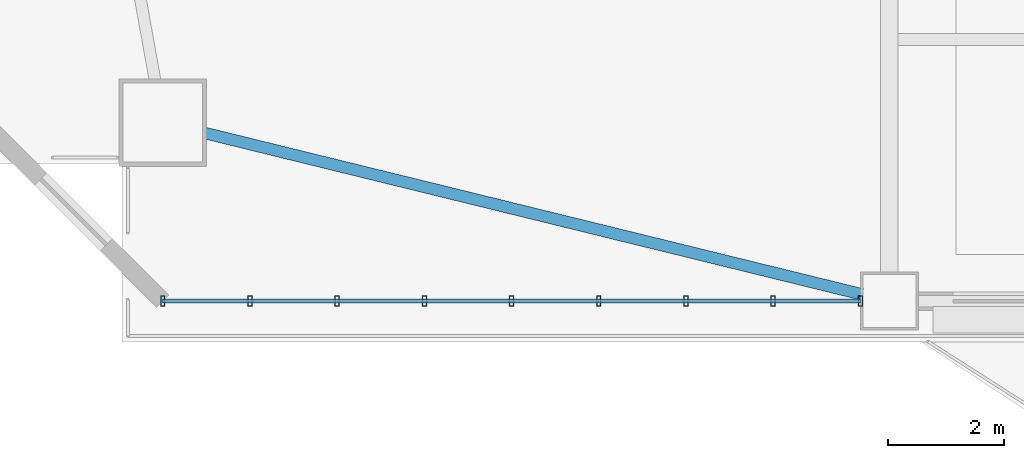
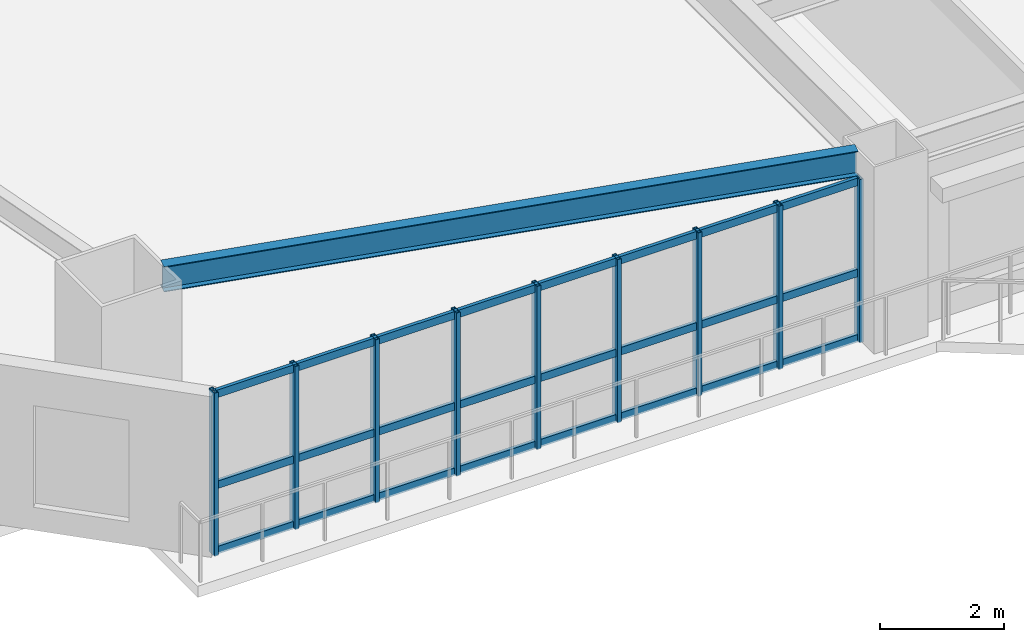
# One storey, part 2 of 16: 12 members, 1 beam, 1 element without a shape of its own.
"""IFC4 building model written with IfcOpenShell, lengths in metres."""

from ifc_helpers import new_model, si_unit, direction, frame, origin, origin_2d, place, context, subcontext, project, spatial, hollow_rectangle, i_section, extrude, source, transform, mapped, material, layer, layer_set, material_profile, profile_set, type_object, element, aggregate, save


model = new_model("IFC4")

# Units and contexts
model_context = context("Model", 3, precision=1e-05, world=origin(), true_north=direction((0.0, 1.0)))
body_context = subcontext(model_context, "Body", "Model", "MODEL_VIEW")
ifc_project = project(units=[si_unit("LENGTHUNIT", "METRE"), si_unit("AREAUNIT", "SQUARE_METRE"), si_unit("VOLUMEUNIT", "CUBIC_METRE"), si_unit("PLANEANGLEUNIT", "RADIAN"), si_unit("MASSUNIT", "GRAM", prefix="KILO")], contexts=[model_context])

# Site, building, storey
site_placement = place(None, origin())
site = spatial("IfcSite", under=ifc_project, at=site_placement, CompositionType="ELEMENT")
building_placement = place(site_placement, origin())
building = spatial("IfcBuilding", under=site, at=building_placement, Name="Giltprow Tower", CompositionType="ELEMENT")
storey_placement = place(building_placement, frame((0.0, 0.0, 87.39990234375)))
storey = spatial("IfcBuildingStorey", under=building, at=storey_placement, Name="L21", CompositionType="ELEMENT", Elevation=87.39990234375)

# Beam
ifc_material_1 = material(Name="Structural steel Q355B", Category="steel")
ifc_material_profile_1 = material_profile(ifc_material_1, i_section(OverallWidth=0.199951171875, OverallDepth=0.5, WebThickness=0.010009765625, FlangeThickness=0.01611328125, at=origin_2d()), Name="HN 500x200x10x16")
ifc_profile_set_1 = profile_set([ifc_material_profile_1], Name="Structural steel Q355B")
beam_type = type_object("IfcBeamType", Name="BM-SPAN-HN500", PredefinedType="SPANDREL", material=ifc_profile_set_1)
shared_shape_1 = source(origin(), body_context, "Body", "SweptSolid", [
    extrude(i_section(OverallWidth=0.199951171875, OverallDepth=0.5, WebThickness=0.010009765625, FlangeThickness=0.01611328125, at=origin_2d()), origin(), (0.0, 0.0, 1.0), 11.656005859375),
])
beam_placement = place(storey_placement, frame((8.05908203125, 8.8310546875, 3.43017578125), z_axis=(0.971161357058, -0.238423192154, 0.0), x_axis=(0.238423192154, 0.971161357058, 0.0)))
element("IfcBeam", 1, at=beam_placement, inside=storey, type_object=beam_type, Name="L21 Perimeter Spandrel Beam MC_SW-S1", PredefinedType="SPANDREL", context=body_context, shape_type="MappedRepresentation", body=[
    mapped(shared_shape_1, transform((0.0, 0.0, 0.0), x_axis=(1.0, 0.0, 0.0), y_axis=(0.0, 1.0, 0.0), z_axis=(0.0, 0.0, 1.0), scale=1.0)),
])

# Curtain wall, members
ifc_material_2 = material(Name="Anodized bronze", Category="metal")
ifc_layer = layer(ifc_material_2, 0.179931640625, Name="Anodized bronze")
ifc_layer_set = layer_set([ifc_layer], Name="Anodized bronze")
curtain_wall_type = type_object("IfcCurtainWallType", Name="CW-OFF-RECESSED", PredefinedType="NOTDEFINED", material=ifc_layer_set)
curtain_wall_placement = place(storey_placement, origin())
curtain_wall = element("IfcCurtainWall", 2, at=curtain_wall_placement, inside=storey, type_object=curtain_wall_type, Name="L21 South Recessed Curtain Wall 1", PredefinedType="NOTDEFINED")
ifc_material_profile_2 = material_profile(ifc_material_2, hollow_rectangle(XDim=0.074951171875, YDim=0.179931640625, WallThickness=0.008056640625, at=origin_2d()), Name="RHS 180x75x8")
ifc_profile_set_2 = profile_set([ifc_material_profile_2], Name="Anodized bronze")
member_type_1 = type_object("IfcMemberType", Name="CW-MULLION-180x75", PredefinedType="MULLION", material=ifc_profile_set_2)
shared_shape_2 = source(origin(), body_context, "Body", "SweptSolid", [
    extrude(hollow_rectangle(XDim=0.074951171875, YDim=0.179931640625, WallThickness=0.008056640625, at=origin_2d()), origin(), (0.0, 0.0, 1.0), 3.215087890625),
])
member_1_placement = place(storey_placement, frame((7.344970703125, 5.93603515625, -0.02001953125), z_axis=(0.0, 0.0, 1.0), x_axis=(1.0, 0.0, 0.0)))
member_1 = element("IfcMember", 3, at=member_1_placement, type_object=member_type_1, Name="L21 South Recessed Curtain Wall 1 Mullion 1", PredefinedType="MULLION", context=body_context, shape_type="MappedRepresentation", body=[
    mapped(shared_shape_2, transform((0.0, 0.0, 0.0), x_axis=(1.0, 0.0, 0.0), y_axis=(0.0, 1.0, 0.0), z_axis=(0.0, 0.0, 1.0), scale=1.0)),
])
member_2_placement = place(storey_placement, frame((8.845947265625, 5.93603515625, -0.02001953125), z_axis=(0.0, 0.0, 1.0), x_axis=(1.0, 0.0, 0.0)))
member_2 = element("IfcMember", 4, at=member_2_placement, type_object=member_type_1, Name="L21 South Recessed Curtain Wall 1 Mullion 2", PredefinedType="MULLION", context=body_context, shape_type="MappedRepresentation", body=[
    mapped(shared_shape_2, transform((0.0, 0.0, 0.0), x_axis=(1.0, 0.0, 0.0), y_axis=(0.0, 1.0, 0.0), z_axis=(0.0, 0.0, 1.0), scale=1.0)),
])
member_3_placement = place(storey_placement, frame((10.345947265625, 5.93603515625, -0.02001953125), z_axis=(0.0, 0.0, 1.0), x_axis=(1.0, 0.0, 0.0)))
member_3 = element("IfcMember", 5, at=member_3_placement, type_object=member_type_1, Name="L21 South Recessed Curtain Wall 1 Mullion 3", PredefinedType="MULLION", context=body_context, shape_type="MappedRepresentation", body=[
    mapped(shared_shape_2, transform((0.0, 0.0, 0.0), x_axis=(1.0, 0.0, 0.0), y_axis=(0.0, 1.0, 0.0), z_axis=(0.0, 0.0, 1.0), scale=1.0)),
])
member_4_placement = place(storey_placement, frame((11.846923828125, 5.93603515625, -0.02001953125), z_axis=(0.0, 0.0, 1.0), x_axis=(1.0, 0.0, 0.0)))
member_4 = element("IfcMember", 6, at=member_4_placement, type_object=member_type_1, Name="L21 South Recessed Curtain Wall 1 Mullion 4", PredefinedType="MULLION", context=body_context, shape_type="MappedRepresentation", body=[
    mapped(shared_shape_2, transform((0.0, 0.0, 0.0), x_axis=(1.0, 0.0, 0.0), y_axis=(0.0, 1.0, 0.0), z_axis=(0.0, 0.0, 1.0), scale=1.0)),
])
member_5_placement = place(storey_placement, frame((13.347900390625, 5.93603515625, -0.02001953125), z_axis=(0.0, 0.0, 1.0), x_axis=(1.0, 0.0, 0.0)))
member_5 = element("IfcMember", 7, at=member_5_placement, type_object=member_type_1, Name="L21 South Recessed Curtain Wall 1 Mullion 5", PredefinedType="MULLION", context=body_context, shape_type="MappedRepresentation", body=[
    mapped(shared_shape_2, transform((0.0, 0.0, 0.0), x_axis=(1.0, 0.0, 0.0), y_axis=(0.0, 1.0, 0.0), z_axis=(0.0, 0.0, 1.0), scale=1.0)),
])
member_6_placement = place(storey_placement, frame((14.847900390625, 5.93603515625, -0.02001953125), z_axis=(0.0, 0.0, 1.0), x_axis=(1.0, 0.0, 0.0)))
member_6 = element("IfcMember", 8, at=member_6_placement, type_object=member_type_1, Name="L21 South Recessed Curtain Wall 1 Mullion 6", PredefinedType="MULLION", context=body_context, shape_type="MappedRepresentation", body=[
    mapped(shared_shape_2, transform((0.0, 0.0, 0.0), x_axis=(1.0, 0.0, 0.0), y_axis=(0.0, 1.0, 0.0), z_axis=(0.0, 0.0, 1.0), scale=1.0)),
])
member_7_placement = place(storey_placement, frame((16.34912109375, 5.93603515625, -0.02001953125), z_axis=(0.0, 0.0, 1.0), x_axis=(1.0, 0.0, 0.0)))
member_7 = element("IfcMember", 9, at=member_7_placement, type_object=member_type_1, Name="L21 South Recessed Curtain Wall 1 Mullion 7", PredefinedType="MULLION", context=body_context, shape_type="MappedRepresentation", body=[
    mapped(shared_shape_2, transform((0.0, 0.0, 0.0), x_axis=(1.0, 0.0, 0.0), y_axis=(0.0, 1.0, 0.0), z_axis=(0.0, 0.0, 1.0), scale=1.0)),
])
member_8_placement = place(storey_placement, frame((17.84912109375, 5.93603515625, -0.02001953125), z_axis=(0.0, 0.0, 1.0), x_axis=(1.0, 0.0, 0.0)))
member_8 = element("IfcMember", 10, at=member_8_placement, type_object=member_type_1, Name="L21 South Recessed Curtain Wall 1 Mullion 8", PredefinedType="MULLION", context=body_context, shape_type="MappedRepresentation", body=[
    mapped(shared_shape_2, transform((0.0, 0.0, 0.0), x_axis=(1.0, 0.0, 0.0), y_axis=(0.0, 1.0, 0.0), z_axis=(0.0, 0.0, 1.0), scale=1.0)),
])
member_9_placement = place(storey_placement, frame((19.35009765625, 5.93603515625, -0.02001953125), z_axis=(0.0, 0.0, 1.0), x_axis=(1.0, 0.0, 0.0)))
member_9 = element("IfcMember", 11, at=member_9_placement, type_object=member_type_1, Name="L21 South Recessed Curtain Wall 1 Mullion 9", PredefinedType="MULLION", context=body_context, shape_type="MappedRepresentation", body=[
    mapped(shared_shape_2, transform((0.0, 0.0, 0.0), x_axis=(1.0, 0.0, 0.0), y_axis=(0.0, 1.0, 0.0), z_axis=(0.0, 0.0, 1.0), scale=1.0)),
])
ifc_material_profile_3 = material_profile(ifc_material_2, hollow_rectangle(XDim=0.06494140625, YDim=0.14990234375, WallThickness=0.006103515625, at=origin_2d()), Name="RHS 150x65x6")
ifc_profile_set_3 = profile_set([ifc_material_profile_3], Name="Anodized bronze")
member_type_2 = type_object("IfcMemberType", Name="CW-TRANSOM-150x65", PredefinedType="USERDEFINED", material=ifc_profile_set_3)
shared_shape_3 = source(origin(), body_context, "Body", "SweptSolid", [
    extrude(hollow_rectangle(XDim=0.06494140625, YDim=0.14990234375, WallThickness=0.006103515625, at=origin_2d()), origin(), (0.0, 0.0, 1.0), 12.005126953125),
])
member_10_placement = place(storey_placement, frame((7.344970703125, 5.93603515625, 0.0400390625), z_axis=(1.0, 0.0, 0.0), x_axis=(0.0, 1.0, 0.0)))
member_10 = element("IfcMember", 12, at=member_10_placement, type_object=member_type_2, Name="L21 South Recessed Curtain Wall 1 Transom 1", ObjectType="TRANSOM", PredefinedType="USERDEFINED", context=body_context, shape_type="MappedRepresentation", body=[
    mapped(shared_shape_3, transform((0.0, 0.0, 0.0), x_axis=(1.0, 0.0, 0.0), y_axis=(0.0, 1.0, 0.0), z_axis=(0.0, 0.0, 1.0), scale=1.0)),
])
member_11_placement = place(storey_placement, frame((7.344970703125, 5.93603515625, 1.3271484375), z_axis=(1.0, 0.0, 0.0), x_axis=(0.0, 1.0, 0.0)))
member_11 = element("IfcMember", 13, at=member_11_placement, type_object=member_type_2, Name="L21 South Recessed Curtain Wall 1 Transom 2", ObjectType="TRANSOM", PredefinedType="USERDEFINED", context=body_context, shape_type="MappedRepresentation", body=[
    mapped(shared_shape_3, transform((0.0, 0.0, 0.0), x_axis=(1.0, 0.0, 0.0), y_axis=(0.0, 1.0, 0.0), z_axis=(0.0, 0.0, 1.0), scale=1.0)),
])
member_12_placement = place(storey_placement, frame((7.344970703125, 5.93603515625, 3.1201171875), z_axis=(1.0, 0.0, 0.0), x_axis=(0.0, 1.0, 0.0)))
member_12 = element("IfcMember", 14, at=member_12_placement, type_object=member_type_2, Name="L21 South Recessed Curtain Wall 1 Transom 3", ObjectType="TRANSOM", PredefinedType="USERDEFINED", context=body_context, shape_type="MappedRepresentation", body=[
    mapped(shared_shape_3, transform((0.0, 0.0, 0.0), x_axis=(1.0, 0.0, 0.0), y_axis=(0.0, 1.0, 0.0), z_axis=(0.0, 0.0, 1.0), scale=1.0)),
])
aggregate(curtain_wall, [member_1, member_2, member_3, member_4, member_5, member_6, member_7, member_8, member_9, member_10, member_11, member_12])

save(model, "model.ifc")
